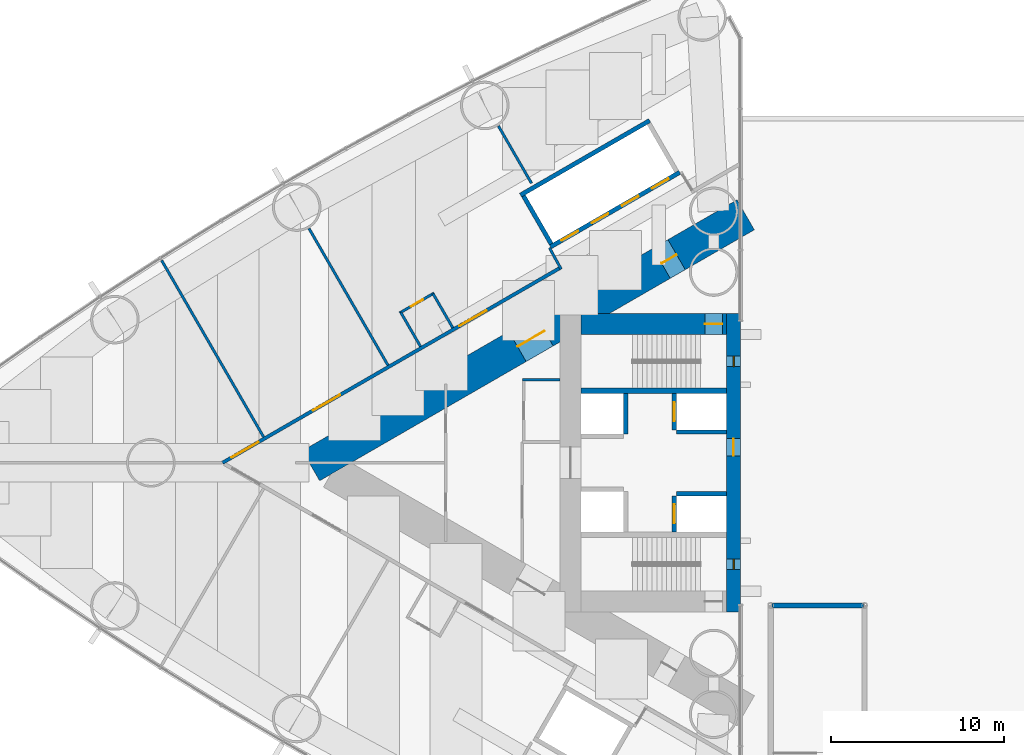
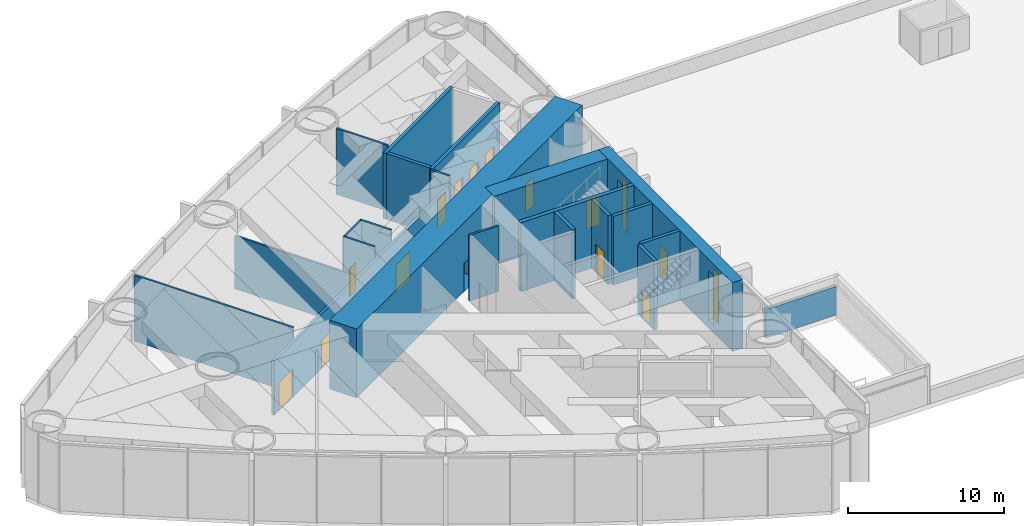
# One storey, part 17 of 23: 22 walls, 14 doors, 2 windows, 16 openings.
"""IFC4 building model written with IfcOpenShell, lengths in metres."""

from ifc_helpers import new_model, si_unit, direction, frame, frame_2d, origin, place, context, subcontext, project, spatial, rectangle, extrude, material, layer, layer_set, type_object, element, fill, save


model = new_model("IFC4")

# Units and contexts
model_context = context("Model", 3, precision=1e-05, world=origin(), true_north=direction((0.0, 1.0)))
body_context = subcontext(model_context, "Body", "Model", "MODEL_VIEW")
ifc_project = project(units=[si_unit("LENGTHUNIT", "METRE"), si_unit("AREAUNIT", "SQUARE_METRE"), si_unit("VOLUMEUNIT", "CUBIC_METRE"), si_unit("PLANEANGLEUNIT", "RADIAN"), si_unit("MASSUNIT", "GRAM", prefix="KILO")], contexts=[model_context])

# Site, building, storey
site_placement = place(None, origin())
site = spatial("IfcSite", under=ifc_project, at=site_placement, CompositionType="ELEMENT")
building_placement = place(site_placement, origin())
building = spatial("IfcBuilding", under=site, at=building_placement, Name="Lancet Gate Hotel", CompositionType="ELEMENT")
storey_placement = place(building_placement, frame((0.0, 0.0, 12.60009765625)))
storey = spatial("IfcBuildingStorey", under=building, at=storey_placement, Name="L02", CompositionType="ELEMENT", Elevation=12.60009765625)

# Walls
ifc_material_1 = material(Name="Moisture resistant board partition")
ifc_layer_1 = layer(ifc_material_1, 0.14990234375)
ifc_layer_set_1 = layer_set([ifc_layer_1], Name="Bathroom wall 150")
wall_type_1 = type_object("IfcWallType", Name="Bathroom wall 150", PredefinedType="PARTITIONING", material=ifc_layer_set_1)
wall_1_placement = place(storey_placement, frame((-44.090087890625, 7.78173828125, 0.0), z_axis=(0.0, 0.0, 1.0), x_axis=(-0.499982560684, 0.866035472144, 0.0)))
element("IfcWall", 1, at=wall_1_placement, inside=storey, type_object=wall_type_1, Name="T1 bathroom wall 150 L02", PredefinedType="PARTITIONING", context=body_context, shape_type="SweptSolid", body=[
    extrude(rectangle(XDim=2.27490234375, YDim=0.14990234375, at=frame_2d((1.137451171875, 0.0))), origin(), (0.0, 0.0, 1.0), 5.14990234375),
])
wall_2_placement = place(storey_placement, frame((-45.951904296875, 6.70654296875, 0.0), z_axis=(0.0, 0.0, 1.0), x_axis=(-0.500063042646, 0.865989003036, 0.0)))
element("IfcWall", 2, at=wall_2_placement, inside=storey, type_object=wall_type_1, Name="T1 bathroom wall 150 L02", PredefinedType="PARTITIONING", context=body_context, shape_type="SweptSolid", body=[
    extrude(rectangle(XDim=2.275146484375, YDim=0.14990234375, at=frame_2d((1.1376953125, 0.0))), origin(), (0.0, 0.0, 1.0), 5.14990234375),
])

# Wall, opening, door
wall_3_placement = place(storey_placement, frame((-45.16259765625, 9.789306640625, 0.0), z_axis=(0.0, 0.0, 1.0), x_axis=(-0.866053019151, -0.499952165731, 0.0)))
wall_3 = element("IfcWall", 3, at=wall_3_placement, inside=storey, type_object=wall_type_1, Name="T1 bathroom wall 150 L02", PredefinedType="PARTITIONING", context=body_context, shape_type="SweptSolid", body=[
    extrude(rectangle(XDim=2.300048828125, YDim=0.14990234375, at=frame_2d((1.14990234375, 0.0))), origin(), (0.0, 0.0, 1.0), 5.14990234375),
])
opening_1_placement = place(wall_3_placement, frame((0.75, 0.0, 0.0)))
opening_1 = element("IfcOpeningElement", 4, at=opening_1_placement, cuts=wall_3, Name="Opening T1-L02-P202W", PredefinedType="OPENING", context=body_context, shape_type="SweptSolid", body=[
    extrude(rectangle(XDim=0.800048828125, YDim=2.199951171875, at=frame_2d((0.39990234375, 1.10009765625))), frame((0.0, 0.0849609375, 0.0), z_axis=(0.0, -1.0, 0.0), x_axis=(1.0, 0.0, 0.0)), (0.0, 0.0, 1.0), 0.169921875),
])
ifc_material_2 = material(Name="Timber door set", Category="wood")
door_type_1 = type_object("IfcDoorType", Name="Bathroom door 800", OperationType="SINGLE_SWING_RIGHT", PredefinedType="DOOR", material=ifc_material_2)
door_1_placement = place(opening_1_placement, origin())
door_1 = element("IfcDoor", 5, at=door_1_placement, inside=storey, type_object=door_type_1, Name="T1-L02-P202W", OperationType="SINGLE_SWING_RIGHT", OverallHeight=2.199951171875, OverallWidth=0.800048828125, PredefinedType="DOOR", context=body_context, shape_type="SweptSolid", body=[
    extrude(rectangle(XDim=0.800048828125, YDim=2.199951171875, at=frame_2d((0.39990234375, 1.10009765625))), frame((0.0, 0.02490234375, 0.0), z_axis=(0.0, -1.0, 0.0), x_axis=(1.0, 0.0, 0.0)), (0.0, 0.0, 1.0), 0.050048828125),
])
fill(opening_1, door_1)

# Wall, openings, doors
ifc_material_3 = material(Name="Concrete C70/85", Category="concrete")
ifc_layer_2 = layer(ifc_material_3, 2.0)
ifc_layer_set_2 = layer_set([ifc_layer_2], Name="Buttress wall 2000")
wall_type_2 = type_object("IfcWallType", Name="Buttress wall 2000", PredefinedType="SHEAR", material=ifc_layer_set_2)
wall_4_placement = place(storey_placement, frame((-27.199951171875, 14.300048828125, 0.0), z_axis=(0.0, 0.0, 1.0), x_axis=(-0.866026593062, -0.499997940104, 0.0)))
wall_4 = element("IfcWall", 6, at=wall_4_placement, inside=storey, type_object=wall_type_2, Name="T1 buttress wall S L02", PredefinedType="SHEAR", context=body_context, shape_type="SweptSolid", body=[
    extrude(rectangle(XDim=28.9462890625, YDim=2.0, at=frame_2d((14.47314453125, 0.0))), origin(), (0.0, 0.0, 1.0), 5.39990234375),
])
opening_2_placement = place(wall_4_placement, frame((4.60009765625, 0.0, 0.0)))
opening_2 = element("IfcOpeningElement", 7, at=opening_2_placement, cuts=wall_4, Name="Opening T1-L02-LS", PredefinedType="OPENING", context=body_context, shape_type="SweptSolid", body=[
    extrude(rectangle(XDim=1.0, YDim=2.199951171875, at=frame_2d((0.5, 1.10009765625))), frame((0.0, 1.010009765625, 0.0), z_axis=(0.0, -1.0, 0.0), x_axis=(1.0, 0.0, 0.0)), (0.0, 0.0, 1.0), 2.02001953125),
])
opening_3_placement = place(wall_4_placement, frame((13.39453125, 0.0, 0.0)))
opening_3 = element("IfcOpeningElement", 8, at=opening_3_placement, cuts=wall_4, Name="Opening T1-L02-LHS", PredefinedType="OPENING", context=body_context, shape_type="SweptSolid", body=[
    extrude(rectangle(XDim=1.800048828125, YDim=2.199951171875, at=frame_2d((0.89990234375, 1.10009765625))), frame((0.0, 1.010009765625, 0.0), z_axis=(0.0, -1.0, 0.0), x_axis=(1.0, 0.0, 0.0)), (0.0, 0.0, 1.0), 2.02001953125),
])
ifc_material_4 = material(Name="Timber door set", Category="wood")
door_type_2 = type_object("IfcDoorType", Name="Lobby double door 1800", OperationType="DOUBLE_DOOR_SINGLE_SWING", PredefinedType="DOOR", material=ifc_material_4)
door_2_placement = place(opening_3_placement, origin())
door_2 = element("IfcDoor", 9, at=door_2_placement, inside=storey, type_object=door_type_2, Name="T1-L02-LHS", OperationType="DOUBLE_DOOR_SINGLE_SWING", OverallHeight=2.199951171875, OverallWidth=1.800048828125, PredefinedType="DOOR", context=body_context, shape_type="SweptSolid", body=[
    extrude(rectangle(XDim=1.800048828125, YDim=2.199951171875, at=frame_2d((0.89990234375, 1.10009765625))), frame((0.0, 0.02490234375, 0.0), z_axis=(0.0, -1.0, 0.0), x_axis=(1.0, 0.0, 0.0)), (0.0, 0.0, 1.0), 0.050048828125),
])
fill(opening_3, door_2)
ifc_material_5 = material(Name="Timber door set", Category="wood")
door_type_3 = type_object("IfcDoorType", Name="Stair lobby door 1000", OperationType="SINGLE_SWING_LEFT", PredefinedType="DOOR", material=ifc_material_5)
door_3_placement = place(opening_2_placement, origin())
door_3 = element("IfcDoor", 10, at=door_3_placement, inside=storey, type_object=door_type_3, Name="T1-L02-LS", OperationType="SINGLE_SWING_LEFT", OverallHeight=2.199951171875, OverallWidth=1.0, PredefinedType="DOOR", context=body_context, shape_type="SweptSolid", body=[
    extrude(rectangle(XDim=1.0, YDim=2.199951171875, at=frame_2d((0.5, 1.10009765625))), frame((0.0, 0.02490234375, 0.0), z_axis=(0.0, -1.0, 0.0), x_axis=(1.0, 0.0, 0.0)), (0.0, 0.0, 1.0), 0.050048828125),
])
fill(opening_2, door_3)

# Wall, opening, door
ifc_material_6 = material(Name="Concrete C70/85", Category="concrete")
ifc_layer_3 = layer(ifc_material_6, 1.199951171875)
ifc_layer_set_3 = layer_set([ifc_layer_3], Name="Core wall 1200")
wall_type_3 = type_object("IfcWallType", Name="Core wall 1200", PredefinedType="SHEAR", material=ifc_layer_set_3)
wall_5_placement = place(storey_placement, frame((-28.300048828125, 8.0, 0.0), z_axis=(0.0, 0.0, 1.0), x_axis=(-1.0, 0.0, 0.0)))
wall_5 = element("IfcWall", 11, at=wall_5_placement, inside=storey, type_object=wall_type_3, Name="T1 core wall side-S L02", PredefinedType="SHEAR", context=body_context, shape_type="SweptSolid", body=[
    extrude(rectangle(XDim=8.39990234375, YDim=1.199951171875, at=frame_2d((4.199951171875, 0.0))), origin(), (0.0, 0.0, 1.0), 5.39990234375),
])
opening_4_placement = place(wall_5_placement, frame((0.25, 0.0, 0.0)))
opening_4 = element("IfcOpeningElement", 12, at=opening_4_placement, cuts=wall_5, Name="Opening T1-L02-ST1", PredefinedType="OPENING", context=body_context, shape_type="SweptSolid", body=[
    extrude(rectangle(XDim=1.0, YDim=2.199951171875, at=frame_2d((0.5, 1.10009765625))), frame((0.0, 0.60986328125, 0.0), z_axis=(0.0, -1.0, 0.0), x_axis=(1.0, 0.0, 0.0)), (0.0, 0.0, 1.0), 1.219970703125),
])
ifc_material_7 = material(Name="Timber door set", Category="wood")
door_type_4 = type_object("IfcDoorType", Name="Stair door 1000", OperationType="SINGLE_SWING_RIGHT", PredefinedType="DOOR", material=ifc_material_7)
door_4_placement = place(opening_4_placement, origin())
door_4 = element("IfcDoor", 13, at=door_4_placement, inside=storey, type_object=door_type_4, Name="T1-L02-ST1", OperationType="SINGLE_SWING_RIGHT", OverallHeight=2.199951171875, OverallWidth=1.0, PredefinedType="DOOR", context=body_context, shape_type="SweptSolid", body=[
    extrude(rectangle(XDim=1.0, YDim=2.199951171875, at=frame_2d((0.5, 1.10009765625))), frame((0.0, 0.02490234375, 0.0), z_axis=(0.0, -1.0, 0.0), x_axis=(1.0, 0.0, 0.0)), (0.0, 0.0, 1.0), 0.050048828125),
])
fill(opening_4, door_4)

# Wall, openings, windows, door
ifc_material_8 = material(Name="Concrete C70/85", Category="concrete")
ifc_layer_4 = layer(ifc_material_8, 0.800048828125)
ifc_layer_set_4 = layer_set([ifc_layer_4], Name="Core wall 800")
wall_type_4 = type_object("IfcWallType", Name="Core wall 800", PredefinedType="SHEAR", material=ifc_layer_set_4)
wall_6_placement = place(storey_placement, frame((-27.89990234375, 8.60009765625, 0.0), z_axis=(0.0, 0.0, 1.0), x_axis=(0.0, -1.0, 0.0)))
wall_6 = element("IfcWall", 14, at=wall_6_placement, inside=storey, type_object=wall_type_4, Name="T1 core wall front L02", PredefinedType="SHEAR", context=body_context, shape_type="SweptSolid", body=[
    extrude(rectangle(XDim=17.2001953125, YDim=0.800048828125, at=frame_2d((8.60009765625, 0.0))), origin(), (0.0, 0.0, 1.0), 5.39990234375),
])
opening_5_placement = place(wall_6_placement, frame((7.199951171875, 0.0, 0.0)))
opening_5 = element("IfcOpeningElement", 15, at=opening_5_placement, cuts=wall_6, Name="Opening T1-L02-RT", PredefinedType="OPENING", context=body_context, shape_type="SweptSolid", body=[
    extrude(rectangle(XDim=1.0, YDim=2.199951171875, at=frame_2d((0.5, 1.10009765625))), frame((0.0, 0.409912109375, 0.0), z_axis=(0.0, -1.0, 0.0), x_axis=(1.0, 0.0, 0.0)), (0.0, 0.0, 1.0), 0.820068359375),
])
opening_6_placement = place(wall_6_placement, frame((2.449951171875, 0.0, 0.60009765625)))
opening_6 = element("IfcOpeningElement", 16, at=opening_6_placement, cuts=wall_6, Name="Opening LW2", PredefinedType="OPENING", context=body_context, shape_type="SweptSolid", body=[
    extrude(rectangle(XDim=0.60009765625, YDim=3.89990234375, at=frame_2d((0.300048828125, 1.949951171875))), frame((0.0, 0.409912109375, 0.0), z_axis=(0.0, -1.0, 0.0), x_axis=(1.0, 0.0, 0.0)), (0.0, 0.0, 1.0), 0.820068359375),
])
opening_7_placement = place(wall_6_placement, frame((14.14990234375, 0.0, 0.60009765625)))
opening_7 = element("IfcOpeningElement", 17, at=opening_7_placement, cuts=wall_6, Name="Opening LW2", PredefinedType="OPENING", context=body_context, shape_type="SweptSolid", body=[
    extrude(rectangle(XDim=0.60009765625, YDim=3.89990234375, at=frame_2d((0.300048828125, 1.949951171875))), frame((0.0, 0.409912109375, 0.0), z_axis=(0.0, -1.0, 0.0), x_axis=(1.0, 0.0, 0.0)), (0.0, 0.0, 1.0), 0.820068359375),
])
ifc_material_9 = material(Name="Fire-resisting glazed steel window", Category="steel")
window_type = type_object("IfcWindowType", Name="Lancet window 600x3900", PartitioningType="SINGLE_PANEL", PredefinedType="WINDOW", material=ifc_material_9)
window_1_placement = place(opening_6_placement, origin())
window_1 = element("IfcWindow", 18, at=window_1_placement, inside=storey, type_object=window_type, Name="T1 stair window S L02", OverallHeight=3.89990234375, OverallWidth=0.60009765625, PartitioningType="SINGLE_PANEL", PredefinedType="WINDOW", context=body_context, shape_type="SweptSolid", body=[
    extrude(rectangle(XDim=0.60009765625, YDim=3.89990234375, at=frame_2d((0.300048828125, 1.949951171875))), frame((0.0, 0.030029296875, 0.0), z_axis=(0.0, -1.0, 0.0), x_axis=(1.0, 0.0, 0.0)), (0.0, 0.0, 1.0), 0.06005859375),
])
fill(opening_6, window_1)
window_2_placement = place(opening_7_placement, origin())
window_2 = element("IfcWindow", 19, at=window_2_placement, inside=storey, type_object=window_type, Name="T1 stair window N L02", OverallHeight=3.89990234375, OverallWidth=0.60009765625, PartitioningType="SINGLE_PANEL", PredefinedType="WINDOW", context=body_context, shape_type="SweptSolid", body=[
    extrude(rectangle(XDim=0.60009765625, YDim=3.89990234375, at=frame_2d((0.300048828125, 1.949951171875))), frame((0.0, 0.030029296875, 0.0), z_axis=(0.0, -1.0, 0.0), x_axis=(1.0, 0.0, 0.0)), (0.0, 0.0, 1.0), 0.06005859375),
])
fill(opening_7, window_2)
ifc_material_10 = material(Name="Timber door set", Category="wood")
door_type_5 = type_object("IfcDoorType", Name="Maintenance roof access door", OperationType="SINGLE_SWING_LEFT", PredefinedType="DOOR", material=ifc_material_10)
door_5_placement = place(opening_5_placement, origin())
door_5 = element("IfcDoor", 20, at=door_5_placement, inside=storey, type_object=door_type_5, Name="T1-L02-RT", OperationType="SINGLE_SWING_LEFT", OverallHeight=2.199951171875, OverallWidth=1.0, PredefinedType="DOOR", context=body_context, shape_type="SweptSolid", body=[
    extrude(rectangle(XDim=1.0, YDim=2.199951171875, at=frame_2d((0.5, 1.10009765625))), frame((0.0, 0.02490234375, 0.0), z_axis=(0.0, -1.0, 0.0), x_axis=(1.0, 0.0, 0.0)), (0.0, 0.0, 1.0), 0.050048828125),
])
fill(opening_5, door_5)

# Wall, openings, doors
ifc_material_11 = material(Name="Gypsum board partition")
ifc_layer_5 = layer(ifc_material_11, 0.199951171875)
ifc_layer_set_5 = layer_set([ifc_layer_5], Name="Corridor wall 200")
wall_type_5 = type_object("IfcWallType", Name="Corridor wall 200", PredefinedType="PARTITIONING", material=ifc_layer_set_5)
wall_7_placement = place(storey_placement, frame((-37.900146484375, 11.239990234375, 0.0), z_axis=(0.0, 0.0, 1.0), x_axis=(-0.866022995118, -0.50000417191, 0.0)))
wall_7 = element("IfcWall", 21, at=wall_7_placement, inside=storey, type_object=wall_type_5, Name="T1 corridor wall 200 L02", PredefinedType="PARTITIONING", context=body_context, shape_type="SweptSolid", body=[
    extrude(rectangle(XDim=22.479736328125, YDim=0.199951171875, at=frame_2d((11.23974609375, 0.0))), origin(), (0.0, 0.0, 1.0), 4.25),
])
opening_8_placement = place(wall_7_placement, frame((14.643798828125, 0.0, 0.0)))
opening_8 = element("IfcOpeningElement", 22, at=opening_8_placement, cuts=wall_7, Name="Opening T1-L02-P203", PredefinedType="OPENING", context=body_context, shape_type="SweptSolid", body=[
    extrude(rectangle(XDim=1.800048828125, YDim=2.199951171875, at=frame_2d((0.89990234375, 1.10009765625))), frame((0.0, 0.10986328125, 0.0), z_axis=(0.0, -1.0, 0.0), x_axis=(1.0, 0.0, 0.0)), (0.0, 0.0, 1.0), 0.219970703125),
])
opening_9_placement = place(wall_7_placement, frame((20.069091796875, 0.0, 0.0)))
opening_9 = element("IfcOpeningElement", 23, at=opening_9_placement, cuts=wall_7, Name="Opening T1-L02-P204", PredefinedType="OPENING", context=body_context, shape_type="SweptSolid", body=[
    extrude(rectangle(XDim=1.800048828125, YDim=2.199951171875, at=frame_2d((0.89990234375, 1.10009765625))), frame((0.0, 0.10986328125, 0.0), z_axis=(0.0, -1.0, 0.0), x_axis=(1.0, 0.0, 0.0)), (0.0, 0.0, 1.0), 0.219970703125),
])
opening_10_placement = place(wall_7_placement, frame((4.914794921875, 0.0, 0.0)))
opening_10 = element("IfcOpeningElement", 24, at=opening_10_placement, cuts=wall_7, Name="Opening T1-L02-P202", PredefinedType="OPENING", context=body_context, shape_type="SweptSolid", body=[
    extrude(rectangle(XDim=1.800048828125, YDim=2.199951171875, at=frame_2d((0.89990234375, 1.10009765625))), frame((0.0, 0.10986328125, 0.0), z_axis=(0.0, -1.0, 0.0), x_axis=(1.0, 0.0, 0.0)), (0.0, 0.0, 1.0), 0.219970703125),
])
ifc_material_12 = material(Name="Timber door set", Category="wood")
door_type_6 = type_object("IfcDoorType", Name="Double door 1800", OperationType="DOUBLE_DOOR_SINGLE_SWING", PredefinedType="DOOR", material=ifc_material_12)
door_6_placement = place(opening_8_placement, origin())
door_6 = element("IfcDoor", 25, at=door_6_placement, inside=storey, type_object=door_type_6, Name="T1-L02-P203", OperationType="DOUBLE_DOOR_SINGLE_SWING", OverallHeight=2.199951171875, OverallWidth=1.800048828125, PredefinedType="DOOR", context=body_context, shape_type="SweptSolid", body=[
    extrude(rectangle(XDim=1.800048828125, YDim=2.199951171875, at=frame_2d((0.89990234375, 1.10009765625))), frame((0.0, 0.02490234375, 0.0), z_axis=(0.0, -1.0, 0.0), x_axis=(1.0, 0.0, 0.0)), (0.0, 0.0, 1.0), 0.050048828125),
])
fill(opening_8, door_6)
door_7_placement = place(opening_9_placement, origin())
door_7 = element("IfcDoor", 26, at=door_7_placement, inside=storey, type_object=door_type_6, Name="T1-L02-P204", OperationType="DOUBLE_DOOR_SINGLE_SWING", OverallHeight=2.199951171875, OverallWidth=1.800048828125, PredefinedType="DOOR", context=body_context, shape_type="SweptSolid", body=[
    extrude(rectangle(XDim=1.800048828125, YDim=2.199951171875, at=frame_2d((0.89990234375, 1.10009765625))), frame((0.0, 0.02490234375, 0.0), z_axis=(0.0, -1.0, 0.0), x_axis=(1.0, 0.0, 0.0)), (0.0, 0.0, 1.0), 0.050048828125),
])
fill(opening_9, door_7)
door_8_placement = place(opening_10_placement, origin())
door_8 = element("IfcDoor", 27, at=door_8_placement, inside=storey, type_object=door_type_6, Name="T1-L02-P202", OperationType="DOUBLE_DOOR_SINGLE_SWING", OverallHeight=2.199951171875, OverallWidth=1.800048828125, PredefinedType="DOOR", context=body_context, shape_type="SweptSolid", body=[
    extrude(rectangle(XDim=1.800048828125, YDim=2.199951171875, at=frame_2d((0.89990234375, 1.10009765625))), frame((0.0, 0.02490234375, 0.0), z_axis=(0.0, -1.0, 0.0), x_axis=(1.0, 0.0, 0.0)), (0.0, 0.0, 1.0), 0.050048828125),
])
fill(opening_10, door_8)

ifc_material_13 = material(Name="Gypsum board partition")
ifc_layer_6 = layer(ifc_material_13, 0.25)
ifc_layer_set_6 = layer_set([ifc_layer_6], Name="Lift shaft partition 250")
wall_type_6 = type_object("IfcWallType", Name="Lift shaft partition 250", PredefinedType="PARTITIONING", material=ifc_layer_set_6)
wall_8_placement = place(storey_placement, frame((-31.010498046875, 16.747314453125, 0.0), z_axis=(0.0, 0.0, 1.0), x_axis=(-0.866028165386, -0.499995216735, 0.0)))
wall_8 = element("IfcWall", 28, at=wall_8_placement, inside=storey, type_object=wall_type_6, Name="T1 lift shaft wall LR L02", PredefinedType="PARTITIONING", context=body_context, shape_type="SweptSolid", body=[
    extrude(rectangle(XDim=8.60009765625, YDim=0.25, at=frame_2d((4.300048828125, 0.0))), origin(), (0.0, 0.0, 1.0), 5.14990234375),
])
opening_11_placement = place(wall_8_placement, frame((0.75, 0.0, 0.0)))
opening_11 = element("IfcOpeningElement", 29, at=opening_11_placement, cuts=wall_8, Name="Opening T1-LR1-L02", PredefinedType="OPENING", context=body_context, shape_type="SweptSolid", body=[
    extrude(rectangle(XDim=1.10009765625, YDim=2.199951171875, at=frame_2d((0.550048828125, 1.10009765625))), frame((0.0, 0.135009765625, 0.0), z_axis=(0.0, -1.0, 0.0), x_axis=(1.0, 0.0, 0.0)), (0.0, 0.0, 1.0), 0.27001953125),
])
opening_12_placement = place(wall_8_placement, frame((2.75, 0.0, 0.0)))
opening_12 = element("IfcOpeningElement", 30, at=opening_12_placement, cuts=wall_8, Name="Opening T1-LR2-L02", PredefinedType="OPENING", context=body_context, shape_type="SweptSolid", body=[
    extrude(rectangle(XDim=1.10009765625, YDim=2.199951171875, at=frame_2d((0.550048828125, 1.10009765625))), frame((0.0, 0.135009765625, 0.0), z_axis=(0.0, -1.0, 0.0), x_axis=(1.0, 0.0, 0.0)), (0.0, 0.0, 1.0), 0.27001953125),
])
opening_13_placement = place(wall_8_placement, frame((4.75, 0.0, 0.0)))
opening_13 = element("IfcOpeningElement", 31, at=opening_13_placement, cuts=wall_8, Name="Opening T1-LR3-L02", PredefinedType="OPENING", context=body_context, shape_type="SweptSolid", body=[
    extrude(rectangle(XDim=1.10009765625, YDim=2.199951171875, at=frame_2d((0.550048828125, 1.10009765625))), frame((0.0, 0.135009765625, 0.0), z_axis=(0.0, -1.0, 0.0), x_axis=(1.0, 0.0, 0.0)), (0.0, 0.0, 1.0), 0.27001953125),
])
opening_14_placement = place(wall_8_placement, frame((6.75, 0.0, 0.0)))
opening_14 = element("IfcOpeningElement", 32, at=opening_14_placement, cuts=wall_8, Name="Opening T1-LR4-L02", PredefinedType="OPENING", context=body_context, shape_type="SweptSolid", body=[
    extrude(rectangle(XDim=1.10009765625, YDim=2.199951171875, at=frame_2d((0.550048828125, 1.10009765625))), frame((0.0, 0.135009765625, 0.0), z_axis=(0.0, -1.0, 0.0), x_axis=(1.0, 0.0, 0.0)), (0.0, 0.0, 1.0), 0.27001953125),
])
ifc_material_14 = material(Name="Steel door set", Category="steel")
door_type_7 = type_object("IfcDoorType", Name="Lift landing door 1100", OperationType="DOUBLE_DOOR_SLIDING", PredefinedType="USERDEFINED", material=ifc_material_14)
door_9_placement = place(opening_11_placement, origin())
door_9 = element("IfcDoor", 33, at=door_9_placement, inside=storey, type_object=door_type_7, Name="T1-LR1-L02", ObjectType="LIFT LANDING DOOR", OperationType="DOUBLE_DOOR_SLIDING", OverallHeight=2.199951171875, OverallWidth=1.10009765625, PredefinedType="USERDEFINED", context=body_context, shape_type="SweptSolid", body=[
    extrude(rectangle(XDim=1.10009765625, YDim=2.199951171875, at=frame_2d((0.550048828125, 1.10009765625))), frame((0.0, 0.02490234375, 0.0), z_axis=(0.0, -1.0, 0.0), x_axis=(1.0, 0.0, 0.0)), (0.0, 0.0, 1.0), 0.050048828125),
])
fill(opening_11, door_9)
door_10_placement = place(opening_12_placement, origin())
door_10 = element("IfcDoor", 34, at=door_10_placement, inside=storey, type_object=door_type_7, Name="T1-LR2-L02", ObjectType="LIFT LANDING DOOR", OperationType="DOUBLE_DOOR_SLIDING", OverallHeight=2.199951171875, OverallWidth=1.10009765625, PredefinedType="USERDEFINED", context=body_context, shape_type="SweptSolid", body=[
    extrude(rectangle(XDim=1.10009765625, YDim=2.199951171875, at=frame_2d((0.550048828125, 1.10009765625))), frame((0.0, 0.02490234375, 0.0), z_axis=(0.0, -1.0, 0.0), x_axis=(1.0, 0.0, 0.0)), (0.0, 0.0, 1.0), 0.050048828125),
])
fill(opening_12, door_10)
door_11_placement = place(opening_13_placement, origin())
door_11 = element("IfcDoor", 35, at=door_11_placement, inside=storey, type_object=door_type_7, Name="T1-LR3-L02", ObjectType="LIFT LANDING DOOR", OperationType="DOUBLE_DOOR_SLIDING", OverallHeight=2.199951171875, OverallWidth=1.10009765625, PredefinedType="USERDEFINED", context=body_context, shape_type="SweptSolid", body=[
    extrude(rectangle(XDim=1.10009765625, YDim=2.199951171875, at=frame_2d((0.550048828125, 1.10009765625))), frame((0.0, 0.02490234375, 0.0), z_axis=(0.0, -1.0, 0.0), x_axis=(1.0, 0.0, 0.0)), (0.0, 0.0, 1.0), 0.050048828125),
])
fill(opening_13, door_11)
door_12_placement = place(opening_14_placement, origin())
door_12 = element("IfcDoor", 36, at=door_12_placement, inside=storey, type_object=door_type_7, Name="T1-LR4-L02", ObjectType="LIFT LANDING DOOR", OperationType="DOUBLE_DOOR_SLIDING", OverallHeight=2.199951171875, OverallWidth=1.10009765625, PredefinedType="USERDEFINED", context=body_context, shape_type="SweptSolid", body=[
    extrude(rectangle(XDim=1.10009765625, YDim=2.199951171875, at=frame_2d((0.550048828125, 1.10009765625))), frame((0.0, 0.02490234375, 0.0), z_axis=(0.0, -1.0, 0.0), x_axis=(1.0, 0.0, 0.0)), (0.0, 0.0, 1.0), 0.050048828125),
])
fill(opening_14, door_12)

# Walls
wall_9_placement = place(storey_placement, frame((-32.735595703125, 19.73583984375, 0.0), z_axis=(0.0, 0.0, 1.0), x_axis=(-0.866028165386, -0.499995216735, 0.0)))
element("IfcWall", 37, at=wall_9_placement, inside=storey, type_object=wall_type_6, Name="T1 lift shaft wall LR L02", PredefinedType="PARTITIONING", context=body_context, shape_type="SweptSolid", body=[
    extrude(rectangle(XDim=8.60009765625, YDim=0.25, at=frame_2d((4.300048828125, 0.0))), origin(), (0.0, 0.0, 1.0), 5.14990234375),
])
wall_10_placement = place(storey_placement, frame((-38.412841796875, 12.617919921875, 0.0), z_axis=(0.0, 0.0, 1.0), x_axis=(-0.499872130319, 0.866099216793, 0.0)))
element("IfcWall", 38, at=wall_10_placement, inside=storey, type_object=wall_type_6, Name="T1 lift shaft wall LR L02", PredefinedType="PARTITIONING", context=body_context, shape_type="SweptSolid", body=[
    extrude(rectangle(XDim=3.200439453125, YDim=0.25, at=frame_2d((1.60009765625, 0.0))), origin(), (0.0, 0.0, 1.0), 5.14990234375),
])

# Wall, opening, door
ifc_material_15 = material(Name="Concrete C50/60", Category="concrete")
ifc_layer_7 = layer(ifc_material_15, 0.25)
ifc_layer_set_7 = layer_set([ifc_layer_7], Name="Lift shaft wall 250")
wall_type_7 = type_object("IfcWallType", Name="Lift shaft wall 250", PredefinedType="SHEAR", material=ifc_layer_set_7)
wall_11_placement = place(storey_placement, frame((-31.324951171875, 4.0, 0.0), z_axis=(0.0, 0.0, 1.0), x_axis=(0.0, -1.0, 0.0)))
wall_11 = element("IfcWall", 39, at=wall_11_placement, inside=storey, type_object=wall_type_7, Name="T1 core wall row1-S L02", PredefinedType="SHEAR", context=body_context, shape_type="SweptSolid", body=[
    extrude(rectangle(XDim=2.10009765625, YDim=0.25, at=frame_2d((1.050048828125, 0.0))), origin(), (0.0, 0.0, 1.0), 5.39990234375),
])
opening_15_placement = place(wall_11_placement, frame((0.5, 0.0, 0.0)))
opening_15 = element("IfcOpeningElement", 40, at=opening_15_placement, cuts=wall_11, Name="Opening T1-SL1-L02", PredefinedType="OPENING", context=body_context, shape_type="SweptSolid", body=[
    extrude(rectangle(XDim=1.10009765625, YDim=2.199951171875, at=frame_2d((0.550048828125, 1.10009765625))), frame((0.0, 0.135009765625, 0.0), z_axis=(0.0, -1.0, 0.0), x_axis=(1.0, 0.0, 0.0)), (0.0, 0.0, 1.0), 0.27001953125),
])
ifc_material_16 = material(Name="Timber door set", Category="wood")
door_type_8 = type_object("IfcDoorType", Name="Service lift landing door 1100", OperationType="SLIDING_TO_LEFT", PredefinedType="USERDEFINED", material=ifc_material_16)
door_13_placement = place(opening_15_placement, origin())
door_13 = element("IfcDoor", 41, at=door_13_placement, inside=storey, type_object=door_type_8, Name="T1-SL1-L02", ObjectType="LIFT LANDING DOOR", OperationType="SLIDING_TO_LEFT", OverallHeight=2.199951171875, OverallWidth=1.10009765625, PredefinedType="USERDEFINED", context=body_context, shape_type="SweptSolid", body=[
    extrude(rectangle(XDim=1.10009765625, YDim=2.199951171875, at=frame_2d((0.550048828125, 1.10009765625))), frame((0.0, 0.02490234375, 0.0), z_axis=(0.0, -1.0, 0.0), x_axis=(1.0, 0.0, 0.0)), (0.0, 0.0, 1.0), 0.050048828125),
])
fill(opening_15, door_13)

# Walls
wall_12_placement = place(storey_placement, frame((-34.125, 4.0, 0.0), z_axis=(0.0, 0.0, 1.0), x_axis=(0.0, -1.0, 0.0)))
element("IfcWall", 42, at=wall_12_placement, inside=storey, type_object=wall_type_7, Name="T1 core wall row2-S L02", PredefinedType="SHEAR", context=body_context, shape_type="SweptSolid", body=[
    extrude(rectangle(XDim=2.35009765625, YDim=0.25, at=frame_2d((1.175048828125, 0.0))), origin(), (0.0, 0.0, 1.0), 5.39990234375),
])
wall_13_placement = place(storey_placement, frame((-28.300048828125, 1.77490234375, 0.0), z_axis=(0.0, 0.0, 1.0), x_axis=(-1.0, 0.0, 0.0)))
element("IfcWall", 43, at=wall_13_placement, inside=storey, type_object=wall_type_7, Name="T1 core wall pass1-S L02", PredefinedType="SHEAR", context=body_context, shape_type="SweptSolid", body=[
    extrude(rectangle(XDim=2.89990234375, YDim=0.25, at=frame_2d((1.449951171875, 0.0))), origin(), (0.0, 0.0, 1.0), 5.39990234375),
])

# Wall, opening, door
wall_14_placement = place(storey_placement, frame((-31.324951171875, -1.89990234375, 0.0), z_axis=(0.0, 0.0, 1.0), x_axis=(0.0, -1.0, 0.0)))
wall_14 = element("IfcWall", 44, at=wall_14_placement, inside=storey, type_object=wall_type_7, Name="T1 core wall row1-N L02", PredefinedType="SHEAR", context=body_context, shape_type="SweptSolid", body=[
    extrude(rectangle(XDim=2.10009765625, YDim=0.25, at=frame_2d((1.050048828125, 0.0))), origin(), (0.0, 0.0, 1.0), 5.39990234375),
])
opening_16_placement = place(wall_14_placement, frame((0.5, 0.0, 0.0)))
opening_16 = element("IfcOpeningElement", 45, at=opening_16_placement, cuts=wall_14, Name="Opening T1-FL2-L02", PredefinedType="OPENING", context=body_context, shape_type="SweptSolid", body=[
    extrude(rectangle(XDim=1.10009765625, YDim=2.199951171875, at=frame_2d((0.550048828125, 1.10009765625))), frame((0.0, 0.135009765625, 0.0), z_axis=(0.0, -1.0, 0.0), x_axis=(1.0, 0.0, 0.0)), (0.0, 0.0, 1.0), 0.27001953125),
])
ifc_material_17 = material(Name="Steel door set", Category="steel")
door_type_9 = type_object("IfcDoorType", Name="Firefighting lift landing door 1100", OperationType="SLIDING_TO_LEFT", PredefinedType="USERDEFINED", material=ifc_material_17)
door_14_placement = place(opening_16_placement, origin())
door_14 = element("IfcDoor", 46, at=door_14_placement, inside=storey, type_object=door_type_9, Name="T1-FL2-L02", ObjectType="LIFT LANDING DOOR", OperationType="SLIDING_TO_LEFT", OverallHeight=2.199951171875, OverallWidth=1.10009765625, PredefinedType="USERDEFINED", context=body_context, shape_type="SweptSolid", body=[
    extrude(rectangle(XDim=1.10009765625, YDim=2.199951171875, at=frame_2d((0.550048828125, 1.10009765625))), frame((0.0, 0.02490234375, 0.0), z_axis=(0.0, -1.0, 0.0), x_axis=(1.0, 0.0, 0.0)), (0.0, 0.0, 1.0), 0.050048828125),
])
fill(opening_16, door_14)

# Walls
wall_15_placement = place(storey_placement, frame((-28.300048828125, -1.77490234375, 0.0), z_axis=(0.0, 0.0, 1.0), x_axis=(-1.0, 0.0, 0.0)))
element("IfcWall", 47, at=wall_15_placement, inside=storey, type_object=wall_type_7, Name="T1 core wall pass1-N L02", PredefinedType="SHEAR", context=body_context, shape_type="SweptSolid", body=[
    extrude(rectangle(XDim=2.89990234375, YDim=0.25, at=frame_2d((1.449951171875, 0.0))), origin(), (0.0, 0.0, 1.0), 5.39990234375),
])
ifc_material_18 = material(Name="Gypsum board partition")
ifc_layer_8 = layer(ifc_material_18, 0.14990234375)
ifc_layer_set_8 = layer_set([ifc_layer_8], Name="Party wall 150")
wall_type_8 = type_object("IfcWallType", Name="Party wall 150", PredefinedType="PARTITIONING", material=ifc_layer_set_8)
wall_16_placement = place(storey_placement, frame((-47.826904296875, 5.624267578125, 0.0), z_axis=(0.0, 0.0, 1.0), x_axis=(-0.499995404498, 0.866028056982, 0.0)))
element("IfcWall", 48, at=wall_16_placement, inside=storey, type_object=wall_type_8, Name="T1 party wall 150 L02", PredefinedType="PARTITIONING", context=body_context, shape_type="SweptSolid", body=[
    extrude(rectangle(XDim=9.1103515625, YDim=0.14990234375, at=frame_2d((4.55517578125, 0.0))), origin(), (0.0, 0.0, 1.0), 4.14990234375),
])
wall_17_placement = place(storey_placement, frame((-54.99609375, 1.485107421875, 0.0), z_axis=(0.0, 0.0, 1.0), x_axis=(-0.500002871521, 0.866023745905, 0.0)))
element("IfcWall", 49, at=wall_17_placement, inside=storey, type_object=wall_type_8, Name="T1 party wall 150 L02", PredefinedType="PARTITIONING", context=body_context, shape_type="SweptSolid", body=[
    extrude(rectangle(XDim=11.7568359375, YDim=0.14990234375, at=frame_2d((5.87841796875, 0.0))), origin(), (0.0, 0.0, 1.0), 5.14990234375),
])
wall_18_placement = place(storey_placement, frame((-39.55078125, 16.11865234375, 0.0), z_axis=(0.0, 0.0, 1.0), x_axis=(-0.500014214979, 0.866017196607, 0.0)))
element("IfcWall", 50, at=wall_18_placement, inside=storey, type_object=wall_type_8, Name="T1 party wall 150 L02", PredefinedType="PARTITIONING", context=body_context, shape_type="SweptSolid", body=[
    extrude(rectangle(XDim=3.81494140625, YDim=0.14990234375, at=frame_2d((1.907470703125, 0.0))), origin(), (0.0, 0.0, 1.0), 5.14990234375),
])
ifc_material_19 = material(Name="Dense concrete blockwork", Category="masonry")
ifc_layer_9 = layer(ifc_material_19, 0.300048828125)
ifc_layer_set_9 = layer_set([ifc_layer_9], Name="Podium stair enclosure wall 300")
wall_type_9 = type_object("IfcWallType", Name="Podium stair enclosure wall 300", PredefinedType="SOLIDWALL", material=ifc_layer_set_9)
wall_19_placement = place(storey_placement, frame((-25.68896484375, -8.22998046875, 0.0), z_axis=(0.0, 0.0, 1.0), x_axis=(1.0, 0.0, 0.0)))
element("IfcWall", 51, at=wall_19_placement, inside=storey, type_object=wall_type_9, Name="Podium stair PS6 headhouse wall inner L02", PredefinedType="SOLIDWALL", context=body_context, shape_type="SweptSolid", body=[
    extrude(rectangle(XDim=5.27783203125, YDim=0.300048828125, at=frame_2d((2.638916015625, 0.0))), origin(), (0.0, 0.0, 1.0), 2.22998046875),
])
ifc_material_20 = material(Name="Gypsum board partition")
ifc_layer_10 = layer(ifc_material_20, 0.14990234375)
ifc_layer_set_10 = layer_set([ifc_layer_10], Name="Service room wall 150")
wall_type_10 = type_object("IfcWallType", Name="Service room wall 150", PredefinedType="PARTITIONING", material=ifc_layer_set_10)
wall_20_placement = place(storey_placement, frame((-38.513427734375, 12.392333984375, 0.0), z_axis=(0.0, 0.0, 1.0), x_axis=(0.481358300093, -0.876523922624, 0.0)))
element("IfcWall", 52, at=wall_20_placement, inside=storey, type_object=wall_type_10, Name="T1 service room wall 150 L02", PredefinedType="PARTITIONING", context=body_context, shape_type="SweptSolid", body=[
    extrude(rectangle(XDim=1.405029296875, YDim=0.14990234375, at=frame_2d((0.70263671875, 0.0))), origin(), (0.0, 0.0, 1.0), 5.14990234375),
])
wall_21_placement = place(storey_placement, frame((-37.89990234375, 4.800048828125, 0.0), z_axis=(0.0, 0.0, 1.0), x_axis=(-1.0, 0.0, 0.0)))
element("IfcWall", 53, at=wall_21_placement, inside=storey, type_object=wall_type_10, Name="T1 service room wall 150 L02", PredefinedType="PARTITIONING", context=body_context, shape_type="SweptSolid", body=[
    extrude(rectangle(XDim=2.175048828125, YDim=0.14990234375, at=frame_2d((1.08740234375, 0.0))), origin(), (0.0, 0.0, 1.0), 5.14990234375),
])
ifc_material_21 = material(Name="Concrete C50/60", Category="concrete")
ifc_layer_11 = layer(ifc_material_21, 0.300048828125)
ifc_layer_set_11 = layer_set([ifc_layer_11], Name="Stair enclosure wall 300")
wall_type_11 = type_object("IfcWallType", Name="Stair enclosure wall 300", PredefinedType="SHEAR", material=ifc_layer_set_11)
wall_22_placement = place(storey_placement, frame((-28.300048828125, 4.14990234375, 0.0), z_axis=(0.0, 0.0, 1.0), x_axis=(-1.0, 0.0, 0.0)))
element("IfcWall", 54, at=wall_22_placement, inside=storey, type_object=wall_type_11, Name="T1 core wall stair-S L02", PredefinedType="SHEAR", context=body_context, shape_type="SweptSolid", body=[
    extrude(rectangle(XDim=8.39990234375, YDim=0.300048828125, at=frame_2d((4.199951171875, 0.0))), origin(), (0.0, 0.0, 1.0), 5.39990234375),
])

save(model, "model.ifc")
